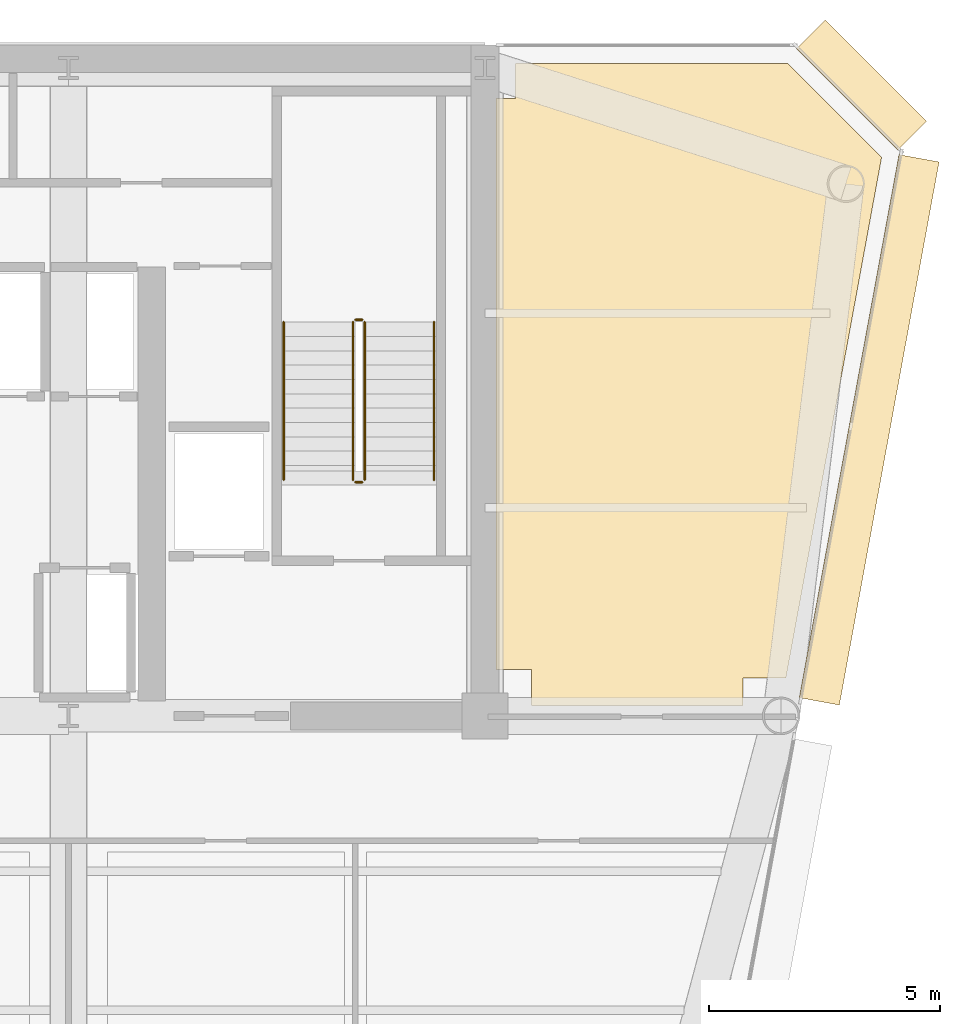
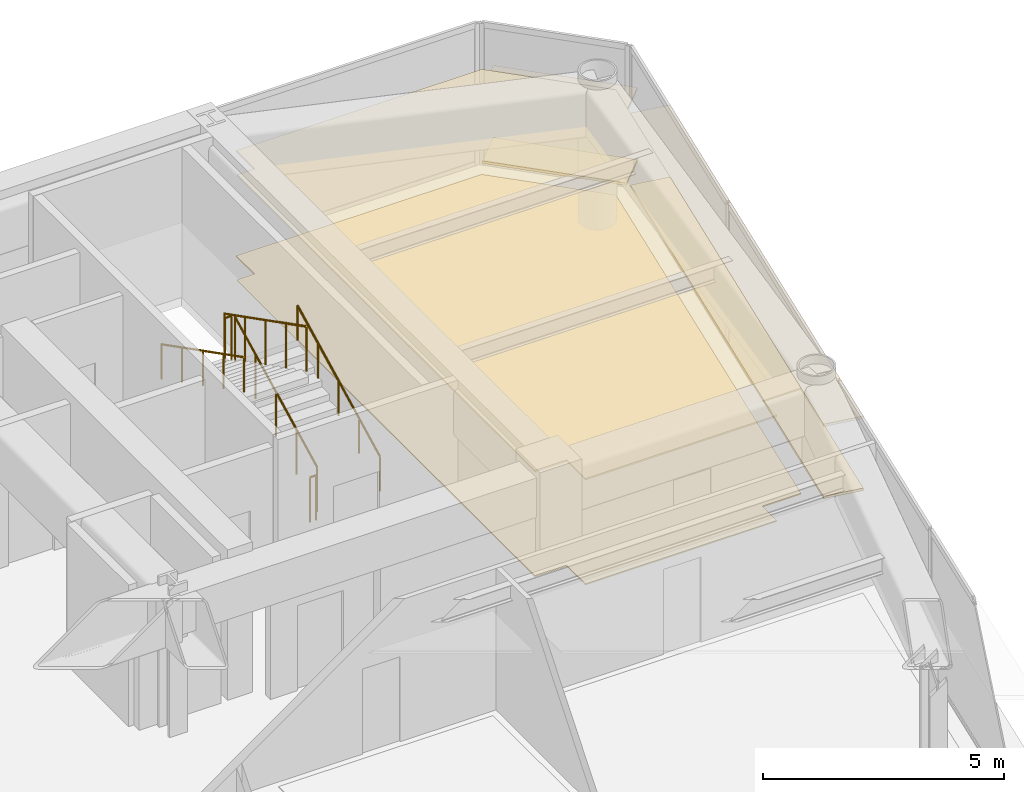
# One storey, part 16 of 16: 6 coverings, 6 railings.
"""IFC4 building model written with IfcOpenShell, lengths in metres."""

from ifc_helpers import new_model, si_unit, direction, frame, origin, origin_2d, place, context, subcontext, project, spatial, polyline, rectangle, circle, outline, extrude, source, transform, mapped, material, layer, layer_set, type_object, element, save


model = new_model("IFC4")

# Units and contexts
model_context = context("Model", 3, precision=1e-05, world=origin(), true_north=direction((0.0, 1.0)))
body_context = subcontext(model_context, "Body", "Model", "MODEL_VIEW")
ifc_project = project(units=[si_unit("LENGTHUNIT", "METRE"), si_unit("AREAUNIT", "SQUARE_METRE"), si_unit("VOLUMEUNIT", "CUBIC_METRE"), si_unit("PLANEANGLEUNIT", "RADIAN"), si_unit("MASSUNIT", "GRAM", prefix="KILO")], contexts=[model_context])

# Site, building, storey
site_placement = place(None, origin())
site = spatial("IfcSite", under=ifc_project, at=site_placement, CompositionType="ELEMENT")
building_placement = place(site_placement, origin())
building = spatial("IfcBuilding", under=site, at=building_placement, Name="Vaeldorn Concourse Tower", CompositionType="ELEMENT")
storey_placement = place(building_placement, frame((0.0, 0.0, 203.199951171875)))
storey = spatial("IfcBuildingStorey", under=building, at=storey_placement, Name="L52", CompositionType="ELEMENT", Elevation=203.199951171875)

# Coverings
ifc_material_1 = material(Name="Acoustic Mineral Fibre Board", Category="gypsum")
ifc_layer_1 = layer(ifc_material_1, 0.0400390625)
ifc_layer_set_1 = layer_set([ifc_layer_1], Name="Acoustic Mineral Fibre Board")
covering_type_1 = type_object("IfcCoveringType", Name="COV-CEIL-ACOUSTIC", PredefinedType="CEILING", material=ifc_layer_set_1)
covering_1_placement = place(storey_placement, frame((0.0, 0.0, 2.650146484375)))
element("IfcCovering", 1, at=covering_1_placement, inside=storey, type_object=covering_type_1, Name="Suspended Acoustic Ceiling L52-5", PredefinedType="CEILING", context=body_context, shape_type="SweptSolid", body=[
    extrude(outline(polyline([(54.659912109375, 49.840087890625), (54.659912109375, 50.60009765625), (60.5341796875, 50.60009765625), (62.568603515625, 48.565673828125), (60.50390625, 37.320068359375), (59.580078125, 37.320068359375), (59.580078125, 36.719970703125), (55.0, 36.719970703125), (55.0, 37.5), (54.239990234375, 37.5), (54.239990234375, 49.840087890625), (54.659912109375, 49.840087890625)])), origin(), (0.0, 0.0, 1.0), 0.039794921875),
])
ifc_material_2 = material(Name="Honed Limestone Terrazzo Flooring", Category="masonry")
ifc_layer_2 = layer(ifc_material_2, 0.0400390625)
ifc_layer_set_2 = layer_set([ifc_layer_2], Name="Honed Limestone Terrazzo Flooring")
covering_type_2 = type_object("IfcCoveringType", Name="COV-FLOOR-STONE", PredefinedType="FLOORING", material=ifc_layer_set_2)
covering_2_placement = place(storey_placement, origin())
element("IfcCovering", 2, at=covering_2_placement, inside=storey, type_object=covering_type_2, Name="Floor Finish Covering L52-5", PredefinedType="FLOORING", context=body_context, shape_type="SweptSolid", body=[
    extrude(outline(polyline([(54.659912109375, 49.840087890625), (54.659912109375, 50.60009765625), (60.5341796875, 50.60009765625), (62.568603515625, 48.565673828125), (60.50390625, 37.320068359375), (59.580078125, 37.320068359375), (59.580078125, 36.719970703125), (55.0, 36.719970703125), (55.0, 37.5), (54.239990234375, 37.5), (54.239990234375, 49.840087890625), (54.659912109375, 49.840087890625)])), origin(), (0.0, 0.0, 1.0), 0.030029296875),
])

# Railings
ifc_material_3 = material(Name="Anodised Bronze Aluminium", Category="aluminium")
railing_type_1 = type_object("IfcRailingType", Name="RL-STAIR-GUARD", PredefinedType="GUARDRAIL", material=ifc_material_3)
railing_1_placement = place(storey_placement, frame((51.39990234375, 41.60009765625, 0.158447265625)))
element("IfcRailing", 3, at=railing_1_placement, inside=storey, type_object=railing_type_1, Name="L52 ST-2 stair guard 1", PredefinedType="GUARDRAIL", context=body_context, shape_type="SweptSolid", body=[
    extrude(circle(Radius=0.02392578125, at=origin_2d()), frame((0.0, 0.0, 1.1259765625), z_axis=(0.0, 0.890555807335, 0.454873997962), x_axis=(-1.0, 0.0, 0.0)), (0.0, 0.0, 1.0), 3.828857421875),
    extrude(circle(Radius=0.02099609375, at=origin_2d()), origin(), (0.0, 0.0, 1.0), 1.101806640625),
    extrude(circle(Radius=0.02099609375, at=origin_2d()), frame((0.0, 0.8525390625, 0.435546875)), (0.0, 0.0, 1.0), 1.101806640625),
    extrude(circle(Radius=0.02099609375, at=origin_2d()), frame((0.0, 1.705078125, 0.870849609375)), (0.0, 0.0, 1.0), 1.101806640625),
    extrude(circle(Radius=0.02099609375, at=origin_2d()), frame((0.0, 2.557373046875, 1.30615234375)), (0.0, 0.0, 1.0), 1.101806640625),
    extrude(circle(Radius=0.02099609375, at=origin_2d()), frame((0.0, 3.409912109375, 1.74169921875)), (0.0, 0.0, 1.0), 1.101806640625),
])
railing_2_placement = place(storey_placement, frame((51.35009765625, 45.06005859375, 1.900146484375)))
element("IfcRailing", 4, at=railing_2_placement, inside=storey, type_object=railing_type_1, Name="L52 ST-2 stair guard 2", PredefinedType="GUARDRAIL", context=body_context, shape_type="SweptSolid", body=[
    extrude(circle(Radius=0.02392578125, at=origin_2d()), frame((0.0, 0.0, 1.1259765625), z_axis=(-1.0, 0.0, 0.0), x_axis=(0.0, -1.0, 0.0)), (0.0, 0.0, 1.0), 0.150146484375),
    extrude(circle(Radius=0.02099609375, at=origin_2d()), origin(), (0.0, 0.0, 1.0), 1.101806640625),
    extrude(circle(Radius=0.02099609375, at=origin_2d()), frame((-0.150146484375, 0.0, 0.0)), (0.0, 0.0, 1.0), 1.101806640625),
])
railing_3_placement = place(storey_placement, frame((51.14990234375, 45.010009765625, 2.058349609375)))
element("IfcRailing", 5, at=railing_3_placement, inside=storey, type_object=railing_type_1, Name="L52 ST-2 stair guard 3", PredefinedType="GUARDRAIL", context=body_context, shape_type="SweptSolid", body=[
    extrude(circle(Radius=0.02392578125, at=origin_2d()), frame((0.0, 0.0, 1.1259765625), z_axis=(0.0, -0.890555807335, 0.454873997962), x_axis=(1.0, 0.0, 0.0)), (0.0, 0.0, 1.0), 3.828857421875),
    extrude(circle(Radius=0.02099609375, at=origin_2d()), origin(), (0.0, 0.0, 1.0), 1.101806640625),
    extrude(circle(Radius=0.02099609375, at=origin_2d()), frame((0.0, -0.8525390625, 0.435546875)), (0.0, 0.0, 1.0), 1.101806640625),
    extrude(circle(Radius=0.02099609375, at=origin_2d()), frame((0.0, -1.705078125, 0.870849609375)), (0.0, 0.0, 1.0), 1.101806640625),
    extrude(circle(Radius=0.02099609375, at=origin_2d()), frame((0.0, -2.557373046875, 1.30615234375)), (0.0, 0.0, 1.0), 1.101806640625),
    extrude(circle(Radius=0.02099609375, at=origin_2d()), frame((0.0, -3.409912109375, 1.74169921875)), (0.0, 0.0, 1.0), 1.101806640625),
])
railing_4_placement = place(storey_placement, frame((51.35009765625, 41.550048828125, 0.0)))
element("IfcRailing", 6, at=railing_4_placement, inside=storey, type_object=railing_type_1, Name="L52 ST-2 stair guard 4", PredefinedType="GUARDRAIL", context=body_context, shape_type="SweptSolid", body=[
    extrude(circle(Radius=0.02392578125, at=origin_2d()), frame((0.0, 0.0, 1.1259765625), z_axis=(-1.0, 0.0, 0.0), x_axis=(0.0, -1.0, 0.0)), (0.0, 0.0, 1.0), 0.150146484375),
    extrude(circle(Radius=0.02099609375, at=origin_2d()), origin(), (0.0, 0.0, 1.0), 1.101806640625),
    extrude(circle(Radius=0.02099609375, at=origin_2d()), frame((-0.150146484375, 0.0, 0.0)), (0.0, 0.0, 1.0), 1.101806640625),
])
railing_type_2 = type_object("IfcRailingType", Name="RL-STAIR-HANDRAIL", PredefinedType="HANDRAIL", material=ifc_material_3)
railing_5_placement = place(storey_placement, frame((52.89990234375, 41.60009765625, 0.158447265625)))
element("IfcRailing", 7, at=railing_5_placement, inside=storey, type_object=railing_type_2, Name="L52 ST-2 stair handrail 1", PredefinedType="HANDRAIL", context=body_context, shape_type="SweptSolid", body=[
    extrude(circle(Radius=0.02392578125, at=origin_2d()), frame((0.0, 0.0, 0.8759765625), z_axis=(0.0, 0.890555807335, 0.454873997962), x_axis=(-1.0, 0.0, 0.0)), (0.0, 0.0, 1.0), 3.828857421875),
    extrude(circle(Radius=0.02099609375, at=origin_2d()), origin(), (0.0, 0.0, 1.0), 0.851806640625),
    extrude(circle(Radius=0.02099609375, at=origin_2d()), frame((0.0, 0.8525390625, 0.435546875)), (0.0, 0.0, 1.0), 0.851806640625),
    extrude(circle(Radius=0.02099609375, at=origin_2d()), frame((0.0, 1.705078125, 0.870849609375)), (0.0, 0.0, 1.0), 0.851806640625),
    extrude(circle(Radius=0.02099609375, at=origin_2d()), frame((0.0, 2.557373046875, 1.30615234375)), (0.0, 0.0, 1.0), 0.851806640625),
    extrude(circle(Radius=0.02099609375, at=origin_2d()), frame((0.0, 3.409912109375, 1.74169921875)), (0.0, 0.0, 1.0), 0.851806640625),
])
railing_6_placement = place(storey_placement, frame((49.64990234375, 45.010009765625, 2.058349609375)))
element("IfcRailing", 8, at=railing_6_placement, inside=storey, type_object=railing_type_2, Name="L52 ST-2 stair handrail 2", PredefinedType="HANDRAIL", context=body_context, shape_type="SweptSolid", body=[
    extrude(circle(Radius=0.02392578125, at=origin_2d()), frame((0.0, 0.0, 0.8759765625), z_axis=(0.0, -0.890555807335, 0.454873997962), x_axis=(1.0, 0.0, 0.0)), (0.0, 0.0, 1.0), 3.828857421875),
    extrude(circle(Radius=0.02099609375, at=origin_2d()), origin(), (0.0, 0.0, 1.0), 0.851806640625),
    extrude(circle(Radius=0.02099609375, at=origin_2d()), frame((0.0, -0.8525390625, 0.435546875)), (0.0, 0.0, 1.0), 0.851806640625),
    extrude(circle(Radius=0.02099609375, at=origin_2d()), frame((0.0, -1.705078125, 0.870849609375)), (0.0, 0.0, 1.0), 0.851806640625),
    extrude(circle(Radius=0.02099609375, at=origin_2d()), frame((0.0, -2.557373046875, 1.30615234375)), (0.0, 0.0, 1.0), 0.851806640625),
    extrude(circle(Radius=0.02099609375, at=origin_2d()), frame((0.0, -3.409912109375, 1.74169921875)), (0.0, 0.0, 1.0), 0.851806640625),
])

# Coverings
ifc_layer_3 = layer(ifc_material_3, 0.06494140625)
ifc_layer_set_3 = layer_set([ifc_layer_3], Name="Anodised Bronze Aluminium")
covering_type_3 = type_object("IfcCoveringType", Name="SD-BRONZE-SUNSHADE", PredefinedType="USERDEFINED", material=ifc_layer_set_3)
shared_shape_1 = source(origin(), body_context, "Body", "SweptSolid", [
    extrude(rectangle(XDim=3.0927734375, YDim=0.8798828125, at=origin_2d()), origin(), (0.0, 0.0, 1.0), 0.06494140625),
])
for number, where, z_axis, x_axis, name in (
    (9, (62.1328125, 50.1328125, 0.047607421875), (0.0, 0.0, 1.0), (-0.707106781187, 0.707106781187, 0.0), "Horizontal Bronze Sunshade L52-E08.1.1"),
    (10, (62.1328125, 50.1328125, 1.86767578125), (0.0, 0.0, 1.0), (-0.707106781187, 0.707106781187, 0.0), "Horizontal Bronze Sunshade L52-E08.1.2"),
):
    element("IfcCovering", number, at=place(storey_placement, frame(where, z_axis=z_axis, x_axis=x_axis)), inside=storey, type_object=covering_type_3, Name=name, ObjectType="SUNSHADE", PredefinedType="USERDEFINED", context=body_context, shape_type="MappedRepresentation", body=[
        mapped(shared_shape_1, transform((0.0, 0.0, 0.0), scale=1.0)),
    ])
shared_shape_2 = source(origin(), body_context, "Body", "SweptSolid", [
    extrude(rectangle(XDim=11.931396484375, YDim=0.8798828125, at=origin_2d()), origin(), (0.0, 0.0, 1.0), 0.06494140625),
])
for number, where, z_axis, x_axis, name in (
    (11, (62.3017578125, 42.681396484375, 0.047607421875), (0.0, 0.0, 1.0), (0.180587811053, 0.983558865803, 0.0), "Horizontal Bronze Sunshade L52-E07.2.1"),
    (12, (62.3017578125, 42.681396484375, 1.86767578125), (0.0, 0.0, 1.0), (0.180587811053, 0.983558865803, 0.0), "Horizontal Bronze Sunshade L52-E07.2.2"),
):
    element("IfcCovering", number, at=place(storey_placement, frame(where, z_axis=z_axis, x_axis=x_axis)), inside=storey, type_object=covering_type_3, Name=name, ObjectType="SUNSHADE", PredefinedType="USERDEFINED", context=body_context, shape_type="MappedRepresentation", body=[
        mapped(shared_shape_2, transform((0.0, 0.0, 0.0), scale=1.0)),
    ])

save(model, "model.ifc")
